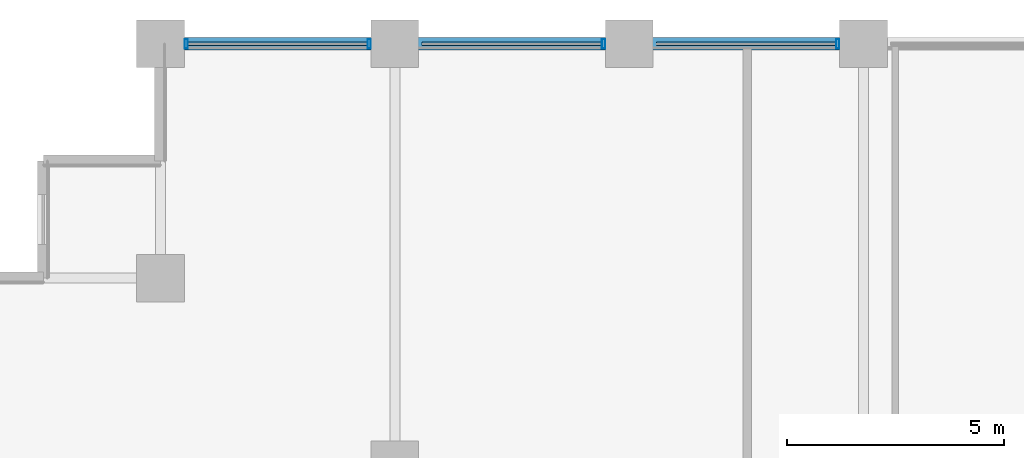
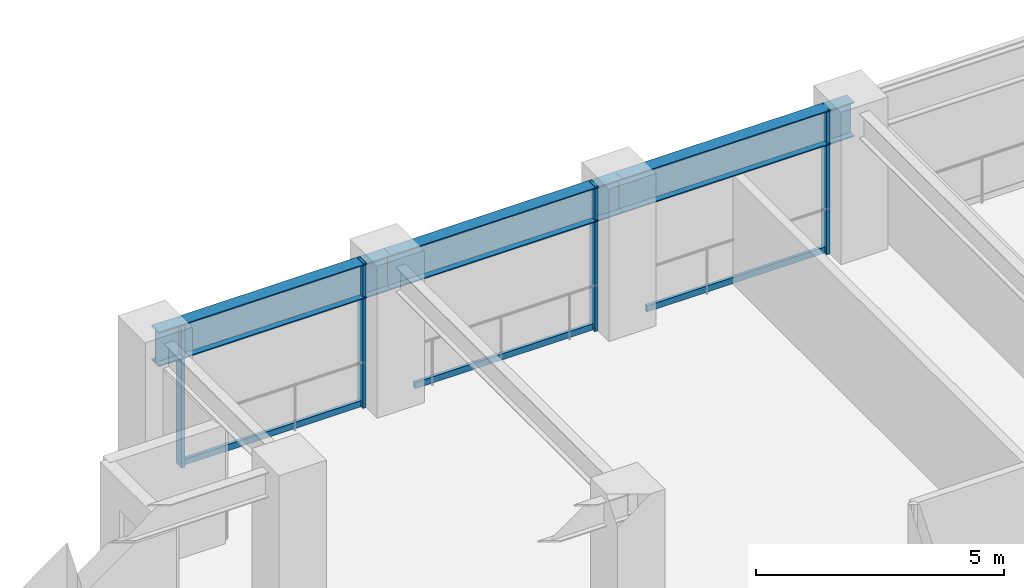
# One storey, part 13 of 30: 7 members, 3 beams, 1 element without a shape of its own.
"""IFC4 building model written with IfcOpenShell, lengths in metres."""

from ifc_helpers import new_model, si_unit, direction, frame, origin, origin_2d, place, context, subcontext, project, spatial, hollow_rectangle, i_section, extrude, material, layer, layer_set, material_profile, profile_set, type_object, element, aggregate, save


model = new_model("IFC4")

# Units and contexts
model_context = context("Model", 3, precision=1e-05, world=origin(), true_north=direction((0.0, 1.0)))
body_context = subcontext(model_context, "Body", "Model", "MODEL_VIEW")
ifc_project = project(units=[si_unit("LENGTHUNIT", "METRE"), si_unit("AREAUNIT", "SQUARE_METRE"), si_unit("VOLUMEUNIT", "CUBIC_METRE"), si_unit("PLANEANGLEUNIT", "RADIAN"), si_unit("MASSUNIT", "GRAM", prefix="KILO")], contexts=[model_context])

# Site, building, storey
site_placement = place(None, origin())
site = spatial("IfcSite", under=ifc_project, at=site_placement, CompositionType="ELEMENT")
building_placement = place(site_placement, origin())
building = spatial("IfcBuilding", under=site, at=building_placement, Name="Surkhivell Harbour Commons", CompositionType="ELEMENT")
storey_placement = place(building_placement, frame((0.0, 0.0, 83.25)))
storey = spatial("IfcBuildingStorey", under=building, at=storey_placement, Name="L21", CompositionType="ELEMENT", Elevation=83.25)

# Beams
ifc_material_1 = material(Name="Steel S460", Category="steel")
ifc_material_profile_1 = material_profile(ifc_material_1, i_section(OverallWidth=0.2939453125, OverallDepth=0.85107421875, WebThickness=0.01611328125, FlangeThickness=0.02685546875, at=origin_2d()), Name="UB838x292x226")
ifc_profile_set_1 = profile_set([ifc_material_profile_1], Name="Steel S460")
beam_type = type_object("IfcBeamType", Name="BM-SPN-838", PredefinedType="SPANDREL", material=ifc_profile_set_1)
beam_1_placement = place(storey_placement, frame((-27.0, 25.89990234375, 3.14453125), z_axis=(1.0, 0.0, 0.0), x_axis=(0.0, 1.0, 0.0)))
element("IfcBeam", 1, at=beam_1_placement, inside=storey, type_object=beam_type, Name="L21 Tube Spandrel (-27.0,25.9)", PredefinedType="SPANDREL", context=body_context, shape_type="SweptSolid", body=[
    extrude(i_section(OverallWidth=0.2939453125, OverallDepth=0.85107421875, WebThickness=0.01611328125, FlangeThickness=0.02685546875, at=origin_2d()), origin(), (0.0, 0.0, 1.0), 5.39990234375),
])
beam_2_placement = place(storey_placement, frame((-21.60009765625, 25.89990234375, 3.14453125), z_axis=(1.0, 0.0, 0.0), x_axis=(0.0, 1.0, 0.0)))
element("IfcBeam", 2, at=beam_2_placement, inside=storey, type_object=beam_type, Name="L21 Tube Spandrel (-21.6,25.9)", PredefinedType="SPANDREL", context=body_context, shape_type="SweptSolid", body=[
    extrude(i_section(OverallWidth=0.2939453125, OverallDepth=0.85107421875, WebThickness=0.01611328125, FlangeThickness=0.02685546875, at=origin_2d()), origin(), (0.0, 0.0, 1.0), 5.400146484375),
])
beam_3_placement = place(storey_placement, frame((-16.199951171875, 25.89990234375, 3.14453125), z_axis=(1.0, 0.0, 0.0), x_axis=(0.0, 1.0, 0.0)))
element("IfcBeam", 3, at=beam_3_placement, inside=storey, type_object=beam_type, Name="L21 Tube Spandrel (-16.2,25.9)", PredefinedType="SPANDREL", context=body_context, shape_type="SweptSolid", body=[
    extrude(i_section(OverallWidth=0.2939453125, OverallDepth=0.85107421875, WebThickness=0.01611328125, FlangeThickness=0.02685546875, at=origin_2d()), origin(), (0.0, 0.0, 1.0), 5.39990234375),
])

# Curtain wall, members
ifc_material_2 = material(Name="Anodised pale-metal aluminium and insulated glazing", Category="aluminium")
ifc_layer = layer(ifc_material_2, 0.205078125)
ifc_layer_set = layer_set([ifc_layer], Name="Anodised pale-metal aluminium and insulated glazing")
curtain_wall_type = type_object("IfcCurtainWallType", Name="CW-SYS-Z2", PredefinedType="NOTDEFINED", material=ifc_layer_set)
curtain_wall_placement = place(storey_placement, origin())
curtain_wall = element("IfcCurtainWall", 4, at=curtain_wall_placement, inside=storey, type_object=curtain_wall_type, Name="L21 Curtain Wall CW-L21-E07S2", PredefinedType="NOTDEFINED")
ifc_material_3 = material(Name="Anodised pale-metal aluminium alloy 6063-T6", Category="aluminium")
ifc_material_profile_2 = material_profile(ifc_material_3, hollow_rectangle(XDim=0.074951171875, YDim=0.219970703125, WallThickness=0.00390625, at=origin_2d()), Name="ALU-MULL-75x220")
ifc_profile_set_2 = profile_set([ifc_material_profile_2], Name="Anodised pale-metal aluminium alloy 6063-T6")
member_type_1 = type_object("IfcMemberType", Name="CWM-220", PredefinedType="MULLION", material=ifc_profile_set_2)
member_1_placement = place(storey_placement, frame((-11.389404296875, 25.89990234375, 0.0), z_axis=(0.0, 0.0, 1.0), x_axis=(-1.0, 0.0, 0.0)))
member_1 = element("IfcMember", 5, at=member_1_placement, type_object=member_type_1, Name="CW-Z2 mullion 2", PredefinedType="MULLION", context=body_context, shape_type="SweptSolid", body=[
    extrude(hollow_rectangle(XDim=0.074951171875, YDim=0.219970703125, WallThickness=0.00390625, at=origin_2d()), origin(), (0.0, 0.0, 1.0), 3.570068359375),
])
member_2_placement = place(storey_placement, frame((-16.78955078125, 25.89990234375, 0.0), z_axis=(0.0, 0.0, 1.0), x_axis=(-1.0, 0.0, 0.0)))
member_2 = element("IfcMember", 6, at=member_2_placement, type_object=member_type_1, Name="CW-Z2 mullion 3", PredefinedType="MULLION", context=body_context, shape_type="SweptSolid", body=[
    extrude(hollow_rectangle(XDim=0.074951171875, YDim=0.219970703125, WallThickness=0.00390625, at=origin_2d()), origin(), (0.0, 0.0, 1.0), 3.570068359375),
])
member_3_placement = place(storey_placement, frame((-22.189453125, 25.89990234375, 0.0), z_axis=(0.0, 0.0, 1.0), x_axis=(-1.0, 0.0, 0.0)))
member_3 = element("IfcMember", 7, at=member_3_placement, type_object=member_type_1, Name="CW-Z2 mullion 4", PredefinedType="MULLION", context=body_context, shape_type="SweptSolid", body=[
    extrude(hollow_rectangle(XDim=0.074951171875, YDim=0.219970703125, WallThickness=0.00390625, at=origin_2d()), origin(), (0.0, 0.0, 1.0), 3.570068359375),
])
member_4_placement = place(storey_placement, frame((-26.410400390625, 25.89990234375, 0.0), z_axis=(0.0, 0.0, 1.0), x_axis=(-1.0, 0.0, 0.0)))
member_4 = element("IfcMember", 8, at=member_4_placement, type_object=member_type_1, Name="CW-Z2 mullion 5", PredefinedType="MULLION", context=body_context, shape_type="SweptSolid", body=[
    extrude(hollow_rectangle(XDim=0.074951171875, YDim=0.219970703125, WallThickness=0.00390625, at=origin_2d()), origin(), (0.0, 0.0, 1.0), 3.570068359375),
])
ifc_material_profile_3 = material_profile(ifc_material_3, hollow_rectangle(XDim=0.074951171875, YDim=0.14990234375, WallThickness=0.00341796875, at=origin_2d()), Name="ALU-TRAN-75x150")
ifc_profile_set_3 = profile_set([ifc_material_profile_3], Name="Anodised pale-metal aluminium alloy 6063-T6")
member_type_2 = type_object("IfcMemberType", Name="CWT-150", PredefinedType="USERDEFINED", material=ifc_profile_set_3)
member_5_placement = place(storey_placement, frame((-11.427001953125, 25.89990234375, 0.074951171875), z_axis=(-1.0, 0.0, 0.0), x_axis=(0.0, -1.0, 0.0)))
member_5 = element("IfcMember", 9, at=member_5_placement, type_object=member_type_2, Name="CW-Z2 transom 2.1", ObjectType="TRANSOM", PredefinedType="USERDEFINED", context=body_context, shape_type="SweptSolid", body=[
    extrude(hollow_rectangle(XDim=0.074951171875, YDim=0.14990234375, WallThickness=0.00341796875, at=origin_2d()), origin(), (0.0, 0.0, 1.0), 4.14599609375),
])
member_6_placement = place(storey_placement, frame((-16.826904296875, 25.89990234375, 0.074951171875), z_axis=(-1.0, 0.0, 0.0), x_axis=(0.0, -1.0, 0.0)))
member_6 = element("IfcMember", 10, at=member_6_placement, type_object=member_type_2, Name="CW-Z2 transom 3.1", ObjectType="TRANSOM", PredefinedType="USERDEFINED", context=body_context, shape_type="SweptSolid", body=[
    extrude(hollow_rectangle(XDim=0.074951171875, YDim=0.14990234375, WallThickness=0.00341796875, at=origin_2d()), origin(), (0.0, 0.0, 1.0), 4.14599609375),
])
member_7_placement = place(storey_placement, frame((-22.22705078125, 25.89990234375, 0.074951171875), z_axis=(-1.0, 0.0, 0.0), x_axis=(0.0, -1.0, 0.0)))
member_7 = element("IfcMember", 11, at=member_7_placement, type_object=member_type_2, Name="CW-Z2 transom 4.1", ObjectType="TRANSOM", PredefinedType="USERDEFINED", context=body_context, shape_type="SweptSolid", body=[
    extrude(hollow_rectangle(XDim=0.074951171875, YDim=0.14990234375, WallThickness=0.00341796875, at=origin_2d()), origin(), (0.0, 0.0, 1.0), 4.14599609375),
])
aggregate(curtain_wall, [member_1, member_5, member_2, member_6, member_3, member_4, member_7])

save(model, "model.ifc")
